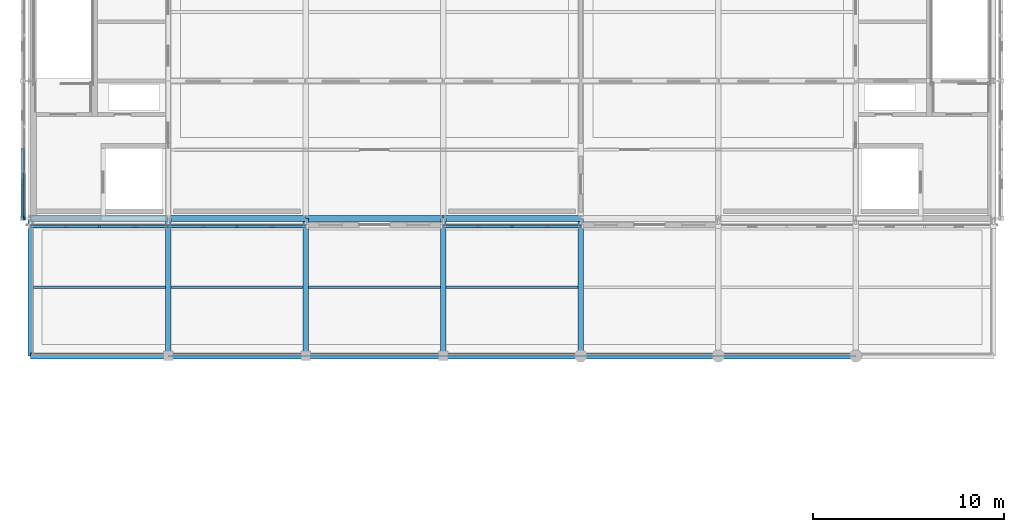
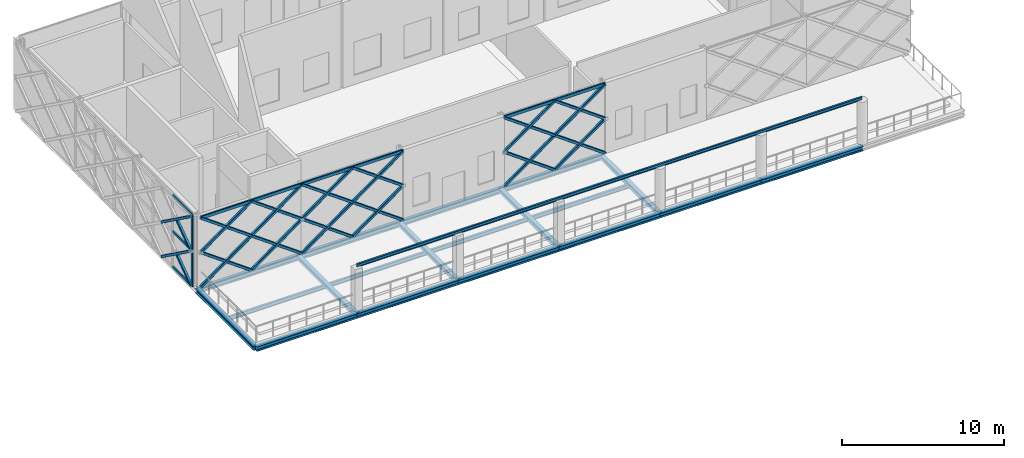
# One storey, part 12 of 31: 47 members, 20 beams, 1 element without a shape of its own.
"""IFC4 building model written with IfcOpenShell, lengths in metres."""

from ifc_helpers import new_model, si_unit, direction, frame, origin, origin_2d, place, context, subcontext, project, spatial, rectangle, hollow_rectangle, i_section, extrude, material, material_profile, profile_set, type_object, element, aggregate, save


model = new_model("IFC4")

# Units and contexts
model_context = context("Model", 3, precision=1e-05, world=origin(), true_north=direction((0.0, 1.0)))
body_context = subcontext(model_context, "Body", "Model", "MODEL_VIEW")
ifc_project = project(units=[si_unit("LENGTHUNIT", "METRE"), si_unit("AREAUNIT", "SQUARE_METRE"), si_unit("VOLUMEUNIT", "CUBIC_METRE"), si_unit("PLANEANGLEUNIT", "RADIAN"), si_unit("MASSUNIT", "GRAM", prefix="KILO")], contexts=[model_context])

# Site, building, storey
site_placement = place(None, origin())
site = spatial("IfcSite", under=ifc_project, at=site_placement, CompositionType="ELEMENT")
building_placement = place(site_placement, origin())
building = spatial("IfcBuilding", under=site, at=building_placement, Name="Zlatovets Crest Museum", CompositionType="ELEMENT")
storey_placement = place(building_placement, frame((0.0, 0.0, 25.199951171875)))
storey = spatial("IfcBuildingStorey", under=building, at=storey_placement, Name="L05", CompositionType="ELEMENT", Elevation=25.199951171875)

# Beams
ifc_material_1 = material(Name="Structural steel S355J2", Category="steel")
ifc_material_profile_1 = material_profile(ifc_material_1, i_section(OverallWidth=0.300048828125, OverallDepth=0.35009765625, WebThickness=0.010009765625, FlangeThickness=0.017578125, FilletRadius=0.027099609375, at=origin_2d()), Name="HEA 360")
ifc_profile_set_1 = profile_set([ifc_material_profile_1], Name="Structural steel S355J2")
beam_type_1 = type_object("IfcBeamType", Name="Beam_B-03", PredefinedType="BEAM", material=ifc_profile_set_1)
for number, where, z_axis, x_axis, name in (
    (1, (57.60009765625, 86.39990234375, -0.4150390625), (1.0, 0.0, 0.0), (0.0, 1.0, 0.0), "V1 L05 Primary Girder B-03"),
    (2, (64.800048828125, 86.39990234375, -0.4150390625), (1.0, 0.0, 0.0), (0.0, 1.0, 0.0), "V1 L05 Primary Girder B-03"),
    (3, (72.0, 86.39990234375, -0.4150390625), (1.0, 0.0, 0.0), (0.0, 1.0, 0.0), "V1 L05 Primary Girder B-03"),
    (4, (79.199951171875, 86.39990234375, -0.4150390625), (1.0, 0.0, 0.0), (0.0, 1.0, 0.0), "V1 L05 Primary Girder B-03"),
):
    element("IfcBeam", number, at=place(storey_placement, frame(where, z_axis=z_axis, x_axis=x_axis)), inside=storey, type_object=beam_type_1, Name=name, PredefinedType="BEAM", context=body_context, shape_type="SweptSolid", body=[
        extrude(i_section(OverallWidth=0.300048828125, OverallDepth=0.35009765625, WebThickness=0.010009765625, FlangeThickness=0.017578125, FilletRadius=0.027099609375, at=origin_2d()), origin(), (0.0, 0.0, 1.0), 7.199951171875),
    ])
beam_1_placement = place(storey_placement, frame((86.39990234375, 86.39990234375, -0.4150390625), z_axis=(1.0, 0.0, 0.0), x_axis=(0.0, 1.0, 0.0)))
element("IfcBeam", 5, at=beam_1_placement, inside=storey, type_object=beam_type_1, Name="V1 L05 Primary Girder B-03", PredefinedType="BEAM", context=body_context, shape_type="SweptSolid", body=[
    extrude(i_section(OverallWidth=0.300048828125, OverallDepth=0.35009765625, WebThickness=0.010009765625, FlangeThickness=0.017578125, FilletRadius=0.027099609375, at=origin_2d()), origin(), (0.0, 0.0, 1.0), 7.2001953125),
])
for number, where, z_axis, x_axis, name in (
    (6, (93.60009765625, 86.39990234375, -0.4150390625), (1.0, 0.0, 0.0), (0.0, 1.0, 0.0), "V1 L05 Primary Girder B-03"),
    (7, (57.60009765625, 93.60009765625, -0.4150390625), (1.0, 0.0, 0.0), (0.0, 1.0, 0.0), "V1 L05 Primary Girder B-03"),
    (8, (64.800048828125, 93.60009765625, -0.4150390625), (1.0, 0.0, 0.0), (0.0, 1.0, 0.0), "V1 L05 Primary Girder B-03"),
    (9, (72.0, 93.60009765625, -0.4150390625), (1.0, 0.0, 0.0), (0.0, 1.0, 0.0), "V1 L05 Primary Girder B-03"),
    (10, (79.199951171875, 93.60009765625, -0.4150390625), (1.0, 0.0, 0.0), (0.0, 1.0, 0.0), "V1 L05 Primary Girder B-03"),
):
    element("IfcBeam", number, at=place(storey_placement, frame(where, z_axis=z_axis, x_axis=x_axis)), inside=storey, type_object=beam_type_1, Name=name, PredefinedType="BEAM", context=body_context, shape_type="SweptSolid", body=[
        extrude(i_section(OverallWidth=0.300048828125, OverallDepth=0.35009765625, WebThickness=0.010009765625, FlangeThickness=0.017578125, FilletRadius=0.027099609375, at=origin_2d()), origin(), (0.0, 0.0, 1.0), 7.199951171875),
    ])
ifc_material_profile_2 = material_profile(ifc_material_1, i_section(OverallWidth=0.300048828125, OverallDepth=0.31005859375, WebThickness=0.009033203125, FlangeThickness=0.015380859375, FilletRadius=0.027099609375, at=origin_2d()), Name="HEA 320")
ifc_profile_set_2 = profile_set([ifc_material_profile_2], Name="Structural steel S355J2")
beam_type_2 = type_object("IfcBeamType", Name="Beam_B-04", PredefinedType="BEAM", material=ifc_profile_set_2)
for number, where, z_axis, x_axis, name in (
    (11, (57.60009765625, 86.39990234375, -0.39501953125), (0.0, 1.0, 0.0), (-1.0, 0.0, 0.0), "V1 L05 Grid Beam B-04"),
    (12, (64.800048828125, 86.39990234375, -0.39501953125), (0.0, 1.0, 0.0), (-1.0, 0.0, 0.0), "V1 L05 Grid Beam B-04"),
    (13, (72.0, 86.39990234375, -0.39501953125), (0.0, 1.0, 0.0), (-1.0, 0.0, 0.0), "V1 L05 Grid Beam B-04"),
    (14, (79.199951171875, 86.39990234375, -0.39501953125), (0.0, 1.0, 0.0), (-1.0, 0.0, 0.0), "V1 L05 Grid Beam B-04"),
    (15, (86.39990234375, 86.39990234375, -0.39501953125), (0.0, 1.0, 0.0), (-1.0, 0.0, 0.0), "V1 L05 Grid Beam B-04"),
):
    element("IfcBeam", number, at=place(storey_placement, frame(where, z_axis=z_axis, x_axis=x_axis)), inside=storey, type_object=beam_type_2, Name=name, PredefinedType="BEAM", context=body_context, shape_type="SweptSolid", body=[
        extrude(i_section(OverallWidth=0.300048828125, OverallDepth=0.31005859375, WebThickness=0.009033203125, FlangeThickness=0.015380859375, FilletRadius=0.027099609375, at=origin_2d()), origin(), (0.0, 0.0, 1.0), 7.2001953125),
    ])
ifc_material_profile_3 = material_profile(ifc_material_1, i_section(OverallWidth=0.14990234375, OverallDepth=0.300048828125, WebThickness=0.007080078125, FlangeThickness=0.0107421875, FilletRadius=0.014892578125, at=origin_2d()), Name="IPE 300")
ifc_profile_set_3 = profile_set([ifc_material_profile_3], Name="Structural steel S355J2")
beam_type_3 = type_object("IfcBeamType", Name="Beam_J-02", PredefinedType="JOIST", material=ifc_profile_set_3)
beam_2_placement = place(storey_placement, frame((57.75, 90.0, -0.389892578125), z_axis=(1.0, 0.0, 0.0), x_axis=(0.0, 1.0, 0.0)))
element("IfcBeam", 16, at=beam_2_placement, inside=storey, type_object=beam_type_3, Name="V1 L05 Composite Joist J-02", PredefinedType="JOIST", context=body_context, shape_type="SweptSolid", body=[
    extrude(i_section(OverallWidth=0.14990234375, OverallDepth=0.300048828125, WebThickness=0.007080078125, FlangeThickness=0.0107421875, FilletRadius=0.014892578125, at=origin_2d()), origin(), (0.0, 0.0, 1.0), 6.89990234375),
])
for number, where, z_axis, x_axis, name in (
    (17, (64.949951171875, 90.0, -0.389892578125), (1.0, 0.0, 0.0), (0.0, 1.0, 0.0), "V1 L05 Composite Joist J-02"),
    (18, (72.14990234375, 90.0, -0.389892578125), (1.0, 0.0, 0.0), (0.0, 1.0, 0.0), "V1 L05 Composite Joist J-02"),
):
    element("IfcBeam", number, at=place(storey_placement, frame(where, z_axis=z_axis, x_axis=x_axis)), inside=storey, type_object=beam_type_3, Name=name, PredefinedType="JOIST", context=body_context, shape_type="SweptSolid", body=[
        extrude(i_section(OverallWidth=0.14990234375, OverallDepth=0.300048828125, WebThickness=0.007080078125, FlangeThickness=0.0107421875, FilletRadius=0.014892578125, at=origin_2d()), origin(), (0.0, 0.0, 1.0), 6.900146484375),
    ])
beam_3_placement = place(storey_placement, frame((79.35009765625, 90.0, -0.389892578125), z_axis=(1.0, 0.0, 0.0), x_axis=(0.0, 1.0, 0.0)))
element("IfcBeam", 19, at=beam_3_placement, inside=storey, type_object=beam_type_3, Name="V1 L05 Composite Joist J-02", PredefinedType="JOIST", context=body_context, shape_type="SweptSolid", body=[
    extrude(i_section(OverallWidth=0.14990234375, OverallDepth=0.300048828125, WebThickness=0.007080078125, FlangeThickness=0.0107421875, FilletRadius=0.014892578125, at=origin_2d()), origin(), (0.0, 0.0, 1.0), 6.89990234375),
])
ifc_material_profile_4 = material_profile(ifc_material_1, i_section(OverallWidth=0.1201171875, OverallDepth=0.239990234375, WebThickness=0.006103515625, FlangeThickness=0.009765625, FilletRadius=0.014892578125, at=origin_2d()), Name="IPE 240")
ifc_profile_set_4 = profile_set([ifc_material_profile_4], Name="Structural steel S355J2")
beam_type_4 = type_object("IfcBeamType", Name="Beam_PR-01", PredefinedType="BEAM", material=ifc_profile_set_4)
beam_4_placement = place(storey_placement, frame((64.800048828125, 86.39990234375, 3.300048828125), z_axis=(1.0, 0.0, 0.0), x_axis=(0.0, 1.0, 0.0)))
element("IfcBeam", 20, at=beam_4_placement, inside=storey, type_object=beam_type_4, Name="L05 Belvedere Colonnade Pergola Tie Beam", PredefinedType="BEAM", context=body_context, shape_type="SweptSolid", body=[
    extrude(i_section(OverallWidth=0.1201171875, OverallDepth=0.239990234375, WebThickness=0.006103515625, FlangeThickness=0.009765625, FilletRadius=0.014892578125, at=origin_2d()), origin(), (0.0, 0.0, 1.0), 36.0),
])

# Curtain wall, members
ifc_material_2 = material(Name="Bronze-anodised aluminium and low-E triple glass", Category="aluminium")
curtain_wall_type = type_object("IfcCurtainWallType", Name="CW_CW-V1-L05-M3", PredefinedType="NOTDEFINED", material=ifc_material_2)
curtain_wall_placement = place(storey_placement, origin())
curtain_wall = element("IfcCurtainWall", 21, at=curtain_wall_placement, inside=storey, type_object=curtain_wall_type, Name="V1 L05 Expressed Core Glazed Facade", PredefinedType="NOTDEFINED")
ifc_material_3 = material(Name="Bronze-anodised aluminium EN AW-6060", Category="aluminium")
ifc_material_profile_5 = material_profile(ifc_material_3, rectangle(XDim=0.090087890625, YDim=0.199951171875, at=origin_2d()), Name="ALU 90x200")
ifc_profile_set_5 = profile_set([ifc_material_profile_5], Name="Bronze-anodised aluminium EN AW-6060")
member_type_1 = type_object("IfcMemberType", Name="CWMull_M2", PredefinedType="MULLION", material=ifc_profile_set_5)
member_1_placement = place(storey_placement, frame((57.260009765625, 93.6298828125, 0.0), z_axis=(0.0, 0.0, 1.0), x_axis=(1.0, 0.0, 0.0)))
member_1 = element("IfcMember", 22, at=member_1_placement, type_object=member_type_1, Name="CW-V1-L05-M3 mullion 4", PredefinedType="MULLION", context=body_context, shape_type="SweptSolid", body=[
    extrude(rectangle(XDim=0.090087890625, YDim=0.199951171875, at=origin_2d()), origin(), (0.0, 0.0, 1.0), 5.400146484375),
])
ifc_material_profile_6 = material_profile(ifc_material_3, rectangle(XDim=0.090087890625, YDim=0.199951171875, at=origin_2d()), Name="ALU 90x200")
ifc_profile_set_6 = profile_set([ifc_material_profile_6], Name="Bronze-anodised aluminium EN AW-6060")
member_type_2 = type_object("IfcMemberType", Name="CWTrans_T2", PredefinedType="USERDEFINED", material=ifc_profile_set_6)
member_2_placement = place(storey_placement, frame((57.260009765625, 95.969970703125, 0.030029296875), z_axis=(0.0, -1.0, 0.0), x_axis=(1.0, 0.0, 0.0)))
member_2 = element("IfcMember", 23, at=member_2_placement, type_object=member_type_2, Name="CW-V1-L05-M3 transom 3.1", ObjectType="TRANSOM", PredefinedType="USERDEFINED", context=body_context, shape_type="SweptSolid", body=[
    extrude(rectangle(XDim=0.090087890625, YDim=0.199951171875, at=origin_2d()), origin(), (0.0, 0.0, 1.0), 2.31005859375),
])
member_3_placement = place(storey_placement, frame((57.260009765625, 95.969970703125, 2.699951171875), z_axis=(0.0, -1.0, 0.0), x_axis=(1.0, 0.0, 0.0)))
member_3 = element("IfcMember", 24, at=member_3_placement, type_object=member_type_2, Name="CW-V1-L05-M3 transom 3.2", ObjectType="TRANSOM", PredefinedType="USERDEFINED", context=body_context, shape_type="SweptSolid", body=[
    extrude(rectangle(XDim=0.090087890625, YDim=0.199951171875, at=origin_2d()), origin(), (0.0, 0.0, 1.0), 2.31005859375),
])
member_4_placement = place(storey_placement, frame((57.260009765625, 95.969970703125, 5.3701171875), z_axis=(0.0, -1.0, 0.0), x_axis=(1.0, 0.0, 0.0)))
member_4 = element("IfcMember", 25, at=member_4_placement, type_object=member_type_2, Name="CW-V1-L05-M3 transom 3.3", ObjectType="TRANSOM", PredefinedType="USERDEFINED", context=body_context, shape_type="SweptSolid", body=[
    extrude(rectangle(XDim=0.090087890625, YDim=0.199951171875, at=origin_2d()), origin(), (0.0, 0.0, 1.0), 2.31005859375),
])
aggregate(curtain_wall, [member_1, member_2, member_3, member_4])

# Members
ifc_material_4 = material(Name="Weathering bronze-steel S355J2W", Category="steel")
ifc_material_profile_7 = material_profile(ifc_material_4, hollow_rectangle(XDim=0.179931640625, YDim=0.179931640625, WallThickness=0.010009765625, InnerFilletRadius=0.010009765625, OuterFilletRadius=0.02001953125, at=origin_2d()), Name="SHS 180x180x10.0")
ifc_profile_set_7 = profile_set([ifc_material_profile_7], Name="Weathering bronze-steel S355J2W")
member_type_3 = type_object("IfcMemberType", Name="Lattice_XL-01", PredefinedType="BRACE", material=ifc_profile_set_7)
member_5_placement = place(storey_placement, frame((57.60009765625, 93.179931640625, 0.10009765625), z_axis=(0.810683577727, 0.0, 0.585484531652), x_axis=(0.0, 1.0, 0.0)))
element("IfcMember", 26, at=member_5_placement, inside=storey, type_object=member_type_3, Name="Continuous Bronze Lattice Diagonal", PredefinedType="BRACE", context=body_context, shape_type="SweptSolid", body=[
    extrude(hollow_rectangle(XDim=0.179931640625, YDim=0.179931640625, WallThickness=0.010009765625, InnerFilletRadius=0.010009765625, OuterFilletRadius=0.02001953125, at=origin_2d()), origin(), (0.0, 0.0, 1.0), 4.4404296875),
])
for number, where, z_axis, x_axis, name in (
    (27, (57.60009765625, 93.179931640625, 2.699951171875), (0.810664082502, 0.0, -0.585511524516), (0.0, 1.0, 0.0), "Split Crossing Bronze Lattice Diagonal Upper"),
    (28, (59.47705078125, 93.179931640625, 1.344482421875), (0.810664082502, 0.0, -0.585511524516), (0.0, 1.0, 0.0), "Split Crossing Bronze Lattice Diagonal Lower"),
):
    element("IfcMember", number, at=place(storey_placement, frame(where, z_axis=z_axis, x_axis=x_axis)), inside=storey, type_object=member_type_3, Name=name, PredefinedType="BRACE", context=body_context, shape_type="SweptSolid", body=[
        extrude(hollow_rectangle(XDim=0.179931640625, YDim=0.179931640625, WallThickness=0.010009765625, InnerFilletRadius=0.010009765625, OuterFilletRadius=0.02001953125, at=origin_2d()), origin(), (0.0, 0.0, 1.0), 2.125244140625),
    ])
member_6_placement = place(storey_placement, frame((61.199951171875, 93.179931640625, 0.10009765625), z_axis=(0.810702423259, 0.0, 0.585458436545), x_axis=(0.0, 1.0, 0.0)))
element("IfcMember", 29, at=member_6_placement, inside=storey, type_object=member_type_3, Name="Continuous Bronze Lattice Diagonal", PredefinedType="BRACE", context=body_context, shape_type="SweptSolid", body=[
    extrude(hollow_rectangle(XDim=0.179931640625, YDim=0.179931640625, WallThickness=0.010009765625, InnerFilletRadius=0.010009765625, OuterFilletRadius=0.02001953125, at=origin_2d()), origin(), (0.0, 0.0, 1.0), 4.440673828125),
])
for number, where, z_axis, x_axis, name in (
    (30, (61.199951171875, 93.179931640625, 2.699951171875), (0.810703458452, 0.0, -0.585457003079), (0.0, 1.0, 0.0), "Split Crossing Bronze Lattice Diagonal Upper"),
    (31, (63.076904296875, 93.179931640625, 1.344482421875), (0.810703458452, 0.0, -0.585457003079), (0.0, 1.0, 0.0), "Split Crossing Bronze Lattice Diagonal Lower"),
):
    element("IfcMember", number, at=place(storey_placement, frame(where, z_axis=z_axis, x_axis=x_axis)), inside=storey, type_object=member_type_3, Name=name, PredefinedType="BRACE", context=body_context, shape_type="SweptSolid", body=[
        extrude(hollow_rectangle(XDim=0.179931640625, YDim=0.179931640625, WallThickness=0.010009765625, InnerFilletRadius=0.010009765625, OuterFilletRadius=0.02001953125, at=origin_2d()), origin(), (0.0, 0.0, 1.0), 2.12548828125),
    ])
member_7_placement = place(storey_placement, frame((57.60009765625, 93.179931640625, 2.699951171875), z_axis=(0.810657481794, 0.0, 0.585520663351), x_axis=(0.0, 1.0, 0.0)))
element("IfcMember", 32, at=member_7_placement, inside=storey, type_object=member_type_3, Name="Continuous Bronze Lattice Diagonal", PredefinedType="BRACE", context=body_context, shape_type="SweptSolid", body=[
    extrude(hollow_rectangle(XDim=0.179931640625, YDim=0.179931640625, WallThickness=0.010009765625, InnerFilletRadius=0.010009765625, OuterFilletRadius=0.02001953125, at=origin_2d()), origin(), (0.0, 0.0, 1.0), 4.440673828125),
])
for number, where, z_axis, x_axis, name in (
    (33, (57.60009765625, 93.179931640625, 5.300048828125), (0.810664082502, 0.0, -0.585511524516), (0.0, 1.0, 0.0), "Split Crossing Bronze Lattice Diagonal Upper"),
    (34, (59.47705078125, 93.179931640625, 3.9443359375), (0.810664082502, 0.0, -0.585511524516), (0.0, 1.0, 0.0), "Split Crossing Bronze Lattice Diagonal Lower"),
):
    element("IfcMember", number, at=place(storey_placement, frame(where, z_axis=z_axis, x_axis=x_axis)), inside=storey, type_object=member_type_3, Name=name, PredefinedType="BRACE", context=body_context, shape_type="SweptSolid", body=[
        extrude(hollow_rectangle(XDim=0.179931640625, YDim=0.179931640625, WallThickness=0.010009765625, InnerFilletRadius=0.010009765625, OuterFilletRadius=0.02001953125, at=origin_2d()), origin(), (0.0, 0.0, 1.0), 2.125244140625),
    ])
member_8_placement = place(storey_placement, frame((61.199951171875, 93.179931640625, 2.699951171875), z_axis=(0.810676329046, 0.0, 0.585494568313), x_axis=(0.0, 1.0, 0.0)))
element("IfcMember", 35, at=member_8_placement, inside=storey, type_object=member_type_3, Name="Continuous Bronze Lattice Diagonal", PredefinedType="BRACE", context=body_context, shape_type="SweptSolid", body=[
    extrude(hollow_rectangle(XDim=0.179931640625, YDim=0.179931640625, WallThickness=0.010009765625, InnerFilletRadius=0.010009765625, OuterFilletRadius=0.02001953125, at=origin_2d()), origin(), (0.0, 0.0, 1.0), 4.44091796875),
])
for number, where, z_axis, x_axis, name in (
    (36, (61.199951171875, 93.179931640625, 5.300048828125), (0.810703458452, 0.0, -0.585457003079), (0.0, 1.0, 0.0), "Split Crossing Bronze Lattice Diagonal Upper"),
    (37, (63.076904296875, 93.179931640625, 3.9443359375), (0.810703458452, 0.0, -0.585457003079), (0.0, 1.0, 0.0), "Split Crossing Bronze Lattice Diagonal Lower"),
):
    element("IfcMember", number, at=place(storey_placement, frame(where, z_axis=z_axis, x_axis=x_axis)), inside=storey, type_object=member_type_3, Name=name, PredefinedType="BRACE", context=body_context, shape_type="SweptSolid", body=[
        extrude(hollow_rectangle(XDim=0.179931640625, YDim=0.179931640625, WallThickness=0.010009765625, InnerFilletRadius=0.010009765625, OuterFilletRadius=0.02001953125, at=origin_2d()), origin(), (0.0, 0.0, 1.0), 2.12548828125),
    ])
member_9_placement = place(storey_placement, frame((64.800048828125, 93.179931640625, 0.10009765625), z_axis=(0.810683577727, 0.0, 0.585484531652), x_axis=(0.0, 1.0, 0.0)))
element("IfcMember", 38, at=member_9_placement, inside=storey, type_object=member_type_3, Name="Continuous Bronze Lattice Diagonal", PredefinedType="BRACE", context=body_context, shape_type="SweptSolid", body=[
    extrude(hollow_rectangle(XDim=0.179931640625, YDim=0.179931640625, WallThickness=0.010009765625, InnerFilletRadius=0.010009765625, OuterFilletRadius=0.02001953125, at=origin_2d()), origin(), (0.0, 0.0, 1.0), 4.4404296875),
])
for number, where, z_axis, x_axis, name in (
    (39, (64.800048828125, 93.179931640625, 2.699951171875), (0.810664082502, 0.0, -0.585511524516), (0.0, 1.0, 0.0), "Split Crossing Bronze Lattice Diagonal Upper"),
    (40, (66.677001953125, 93.179931640625, 1.344482421875), (0.810664082502, 0.0, -0.585511524516), (0.0, 1.0, 0.0), "Split Crossing Bronze Lattice Diagonal Lower"),
):
    element("IfcMember", number, at=place(storey_placement, frame(where, z_axis=z_axis, x_axis=x_axis)), inside=storey, type_object=member_type_3, Name=name, PredefinedType="BRACE", context=body_context, shape_type="SweptSolid", body=[
        extrude(hollow_rectangle(XDim=0.179931640625, YDim=0.179931640625, WallThickness=0.010009765625, InnerFilletRadius=0.010009765625, OuterFilletRadius=0.02001953125, at=origin_2d()), origin(), (0.0, 0.0, 1.0), 2.125244140625),
    ])
member_10_placement = place(storey_placement, frame((68.39990234375, 93.179931640625, 0.10009765625), z_axis=(0.810702423259, 0.0, 0.585458436545), x_axis=(0.0, 1.0, 0.0)))
element("IfcMember", 41, at=member_10_placement, inside=storey, type_object=member_type_3, Name="Continuous Bronze Lattice Diagonal", PredefinedType="BRACE", context=body_context, shape_type="SweptSolid", body=[
    extrude(hollow_rectangle(XDim=0.179931640625, YDim=0.179931640625, WallThickness=0.010009765625, InnerFilletRadius=0.010009765625, OuterFilletRadius=0.02001953125, at=origin_2d()), origin(), (0.0, 0.0, 1.0), 4.440673828125),
])
member_11_placement = place(storey_placement, frame((68.39990234375, 93.179931640625, 2.699951171875), z_axis=(0.810703458452, 0.0, -0.585457003079), x_axis=(0.0, 1.0, 0.0)))
element("IfcMember", 42, at=member_11_placement, inside=storey, type_object=member_type_3, Name="Split Crossing Bronze Lattice Diagonal Upper", PredefinedType="BRACE", context=body_context, shape_type="SweptSolid", body=[
    extrude(hollow_rectangle(XDim=0.179931640625, YDim=0.179931640625, WallThickness=0.010009765625, InnerFilletRadius=0.010009765625, OuterFilletRadius=0.02001953125, at=origin_2d()), origin(), (0.0, 0.0, 1.0), 2.12548828125),
])
member_12_placement = place(storey_placement, frame((70.277099609375, 93.179931640625, 1.344482421875), z_axis=(0.810664082502, 0.0, -0.585511524516), x_axis=(0.0, 1.0, 0.0)))
element("IfcMember", 43, at=member_12_placement, inside=storey, type_object=member_type_3, Name="Split Crossing Bronze Lattice Diagonal Lower", PredefinedType="BRACE", context=body_context, shape_type="SweptSolid", body=[
    extrude(hollow_rectangle(XDim=0.179931640625, YDim=0.179931640625, WallThickness=0.010009765625, InnerFilletRadius=0.010009765625, OuterFilletRadius=0.02001953125, at=origin_2d()), origin(), (0.0, 0.0, 1.0), 2.125244140625),
])
member_13_placement = place(storey_placement, frame((64.800048828125, 93.179931640625, 2.699951171875), z_axis=(0.810657481794, 0.0, 0.585520663351), x_axis=(0.0, 1.0, 0.0)))
element("IfcMember", 44, at=member_13_placement, inside=storey, type_object=member_type_3, Name="Continuous Bronze Lattice Diagonal", PredefinedType="BRACE", context=body_context, shape_type="SweptSolid", body=[
    extrude(hollow_rectangle(XDim=0.179931640625, YDim=0.179931640625, WallThickness=0.010009765625, InnerFilletRadius=0.010009765625, OuterFilletRadius=0.02001953125, at=origin_2d()), origin(), (0.0, 0.0, 1.0), 4.440673828125),
])
for number, where, z_axis, x_axis, name in (
    (45, (64.800048828125, 93.179931640625, 5.300048828125), (0.810664082502, 0.0, -0.585511524516), (0.0, 1.0, 0.0), "Split Crossing Bronze Lattice Diagonal Upper"),
    (46, (66.677001953125, 93.179931640625, 3.9443359375), (0.810664082502, 0.0, -0.585511524516), (0.0, 1.0, 0.0), "Split Crossing Bronze Lattice Diagonal Lower"),
):
    element("IfcMember", number, at=place(storey_placement, frame(where, z_axis=z_axis, x_axis=x_axis)), inside=storey, type_object=member_type_3, Name=name, PredefinedType="BRACE", context=body_context, shape_type="SweptSolid", body=[
        extrude(hollow_rectangle(XDim=0.179931640625, YDim=0.179931640625, WallThickness=0.010009765625, InnerFilletRadius=0.010009765625, OuterFilletRadius=0.02001953125, at=origin_2d()), origin(), (0.0, 0.0, 1.0), 2.125244140625),
    ])
member_14_placement = place(storey_placement, frame((68.39990234375, 93.179931640625, 2.699951171875), z_axis=(0.810676329046, 0.0, 0.585494568313), x_axis=(0.0, 1.0, 0.0)))
element("IfcMember", 47, at=member_14_placement, inside=storey, type_object=member_type_3, Name="Continuous Bronze Lattice Diagonal", PredefinedType="BRACE", context=body_context, shape_type="SweptSolid", body=[
    extrude(hollow_rectangle(XDim=0.179931640625, YDim=0.179931640625, WallThickness=0.010009765625, InnerFilletRadius=0.010009765625, OuterFilletRadius=0.02001953125, at=origin_2d()), origin(), (0.0, 0.0, 1.0), 4.44091796875),
])
member_15_placement = place(storey_placement, frame((68.39990234375, 93.179931640625, 5.300048828125), z_axis=(0.810703458452, 0.0, -0.585457003079), x_axis=(0.0, 1.0, 0.0)))
element("IfcMember", 48, at=member_15_placement, inside=storey, type_object=member_type_3, Name="Split Crossing Bronze Lattice Diagonal Upper", PredefinedType="BRACE", context=body_context, shape_type="SweptSolid", body=[
    extrude(hollow_rectangle(XDim=0.179931640625, YDim=0.179931640625, WallThickness=0.010009765625, InnerFilletRadius=0.010009765625, OuterFilletRadius=0.02001953125, at=origin_2d()), origin(), (0.0, 0.0, 1.0), 2.12548828125),
])
member_16_placement = place(storey_placement, frame((70.277099609375, 93.179931640625, 3.9443359375), z_axis=(0.810664082502, 0.0, -0.585511524516), x_axis=(0.0, 1.0, 0.0)))
element("IfcMember", 49, at=member_16_placement, inside=storey, type_object=member_type_3, Name="Split Crossing Bronze Lattice Diagonal Lower", PredefinedType="BRACE", context=body_context, shape_type="SweptSolid", body=[
    extrude(hollow_rectangle(XDim=0.179931640625, YDim=0.179931640625, WallThickness=0.010009765625, InnerFilletRadius=0.010009765625, OuterFilletRadius=0.02001953125, at=origin_2d()), origin(), (0.0, 0.0, 1.0), 2.125244140625),
])
member_17_placement = place(storey_placement, frame((79.199951171875, 93.179931640625, 0.10009765625), z_axis=(0.810702423259, 0.0, 0.585458436545), x_axis=(0.0, 1.0, 0.0)))
element("IfcMember", 50, at=member_17_placement, inside=storey, type_object=member_type_3, Name="Continuous Bronze Lattice Diagonal", PredefinedType="BRACE", context=body_context, shape_type="SweptSolid", body=[
    extrude(hollow_rectangle(XDim=0.179931640625, YDim=0.179931640625, WallThickness=0.010009765625, InnerFilletRadius=0.010009765625, OuterFilletRadius=0.02001953125, at=origin_2d()), origin(), (0.0, 0.0, 1.0), 4.440673828125),
])
for number, where, z_axis, x_axis, name in (
    (51, (79.199951171875, 93.179931640625, 2.699951171875), (0.810703458452, 0.0, -0.585457003079), (0.0, 1.0, 0.0), "Split Crossing Bronze Lattice Diagonal Upper"),
    (52, (81.076904296875, 93.179931640625, 1.344482421875), (0.810703458452, 0.0, -0.585457003079), (0.0, 1.0, 0.0), "Split Crossing Bronze Lattice Diagonal Lower"),
):
    element("IfcMember", number, at=place(storey_placement, frame(where, z_axis=z_axis, x_axis=x_axis)), inside=storey, type_object=member_type_3, Name=name, PredefinedType="BRACE", context=body_context, shape_type="SweptSolid", body=[
        extrude(hollow_rectangle(XDim=0.179931640625, YDim=0.179931640625, WallThickness=0.010009765625, InnerFilletRadius=0.010009765625, OuterFilletRadius=0.02001953125, at=origin_2d()), origin(), (0.0, 0.0, 1.0), 2.12548828125),
    ])
member_18_placement = place(storey_placement, frame((82.800048828125, 93.179931640625, 0.10009765625), z_axis=(0.810683577727, 0.0, 0.585484531652), x_axis=(0.0, 1.0, 0.0)))
element("IfcMember", 53, at=member_18_placement, inside=storey, type_object=member_type_3, Name="Continuous Bronze Lattice Diagonal", PredefinedType="BRACE", context=body_context, shape_type="SweptSolid", body=[
    extrude(hollow_rectangle(XDim=0.179931640625, YDim=0.179931640625, WallThickness=0.010009765625, InnerFilletRadius=0.010009765625, OuterFilletRadius=0.02001953125, at=origin_2d()), origin(), (0.0, 0.0, 1.0), 4.4404296875),
])
for number, where, z_axis, x_axis, name in (
    (54, (82.800048828125, 93.179931640625, 2.699951171875), (0.810664082502, 0.0, -0.585511524516), (0.0, 1.0, 0.0), "Split Crossing Bronze Lattice Diagonal Upper"),
    (55, (84.677001953125, 93.179931640625, 1.344482421875), (0.810664082502, 0.0, -0.585511524516), (0.0, 1.0, 0.0), "Split Crossing Bronze Lattice Diagonal Lower"),
):
    element("IfcMember", number, at=place(storey_placement, frame(where, z_axis=z_axis, x_axis=x_axis)), inside=storey, type_object=member_type_3, Name=name, PredefinedType="BRACE", context=body_context, shape_type="SweptSolid", body=[
        extrude(hollow_rectangle(XDim=0.179931640625, YDim=0.179931640625, WallThickness=0.010009765625, InnerFilletRadius=0.010009765625, OuterFilletRadius=0.02001953125, at=origin_2d()), origin(), (0.0, 0.0, 1.0), 2.125244140625),
    ])
member_19_placement = place(storey_placement, frame((79.199951171875, 93.179931640625, 2.699951171875), z_axis=(0.810676329046, 0.0, 0.585494568313), x_axis=(0.0, 1.0, 0.0)))
element("IfcMember", 56, at=member_19_placement, inside=storey, type_object=member_type_3, Name="Continuous Bronze Lattice Diagonal", PredefinedType="BRACE", context=body_context, shape_type="SweptSolid", body=[
    extrude(hollow_rectangle(XDim=0.179931640625, YDim=0.179931640625, WallThickness=0.010009765625, InnerFilletRadius=0.010009765625, OuterFilletRadius=0.02001953125, at=origin_2d()), origin(), (0.0, 0.0, 1.0), 4.44091796875),
])
for number, where, z_axis, x_axis, name in (
    (57, (79.199951171875, 93.179931640625, 5.300048828125), (0.810703458452, 0.0, -0.585457003079), (0.0, 1.0, 0.0), "Split Crossing Bronze Lattice Diagonal Upper"),
    (58, (81.076904296875, 93.179931640625, 3.9443359375), (0.810703458452, 0.0, -0.585457003079), (0.0, 1.0, 0.0), "Split Crossing Bronze Lattice Diagonal Lower"),
):
    element("IfcMember", number, at=place(storey_placement, frame(where, z_axis=z_axis, x_axis=x_axis)), inside=storey, type_object=member_type_3, Name=name, PredefinedType="BRACE", context=body_context, shape_type="SweptSolid", body=[
        extrude(hollow_rectangle(XDim=0.179931640625, YDim=0.179931640625, WallThickness=0.010009765625, InnerFilletRadius=0.010009765625, OuterFilletRadius=0.02001953125, at=origin_2d()), origin(), (0.0, 0.0, 1.0), 2.12548828125),
    ])
member_20_placement = place(storey_placement, frame((82.800048828125, 93.179931640625, 2.699951171875), z_axis=(0.810657481794, 0.0, 0.585520663351), x_axis=(0.0, 1.0, 0.0)))
element("IfcMember", 59, at=member_20_placement, inside=storey, type_object=member_type_3, Name="Continuous Bronze Lattice Diagonal", PredefinedType="BRACE", context=body_context, shape_type="SweptSolid", body=[
    extrude(hollow_rectangle(XDim=0.179931640625, YDim=0.179931640625, WallThickness=0.010009765625, InnerFilletRadius=0.010009765625, OuterFilletRadius=0.02001953125, at=origin_2d()), origin(), (0.0, 0.0, 1.0), 4.440673828125),
])
for number, where, z_axis, x_axis, name in (
    (60, (82.800048828125, 93.179931640625, 5.300048828125), (0.810664082502, 0.0, -0.585511524516), (0.0, 1.0, 0.0), "Split Crossing Bronze Lattice Diagonal Upper"),
    (61, (84.677001953125, 93.179931640625, 3.9443359375), (0.810664082502, 0.0, -0.585511524516), (0.0, 1.0, 0.0), "Split Crossing Bronze Lattice Diagonal Lower"),
):
    element("IfcMember", number, at=place(storey_placement, frame(where, z_axis=z_axis, x_axis=x_axis)), inside=storey, type_object=member_type_3, Name=name, PredefinedType="BRACE", context=body_context, shape_type="SweptSolid", body=[
        extrude(hollow_rectangle(XDim=0.179931640625, YDim=0.179931640625, WallThickness=0.010009765625, InnerFilletRadius=0.010009765625, OuterFilletRadius=0.02001953125, at=origin_2d()), origin(), (0.0, 0.0, 1.0), 2.125244140625),
    ])
member_21_placement = place(storey_placement, frame((57.179931640625, 97.199951171875, 0.10009765625), z_axis=(0.0, -0.810683577727, 0.585484531652), x_axis=(1.0, 0.0, 0.0)))
element("IfcMember", 62, at=member_21_placement, inside=storey, type_object=member_type_3, Name="Continuous Bronze Lattice Diagonal", PredefinedType="BRACE", context=body_context, shape_type="SweptSolid", body=[
    extrude(hollow_rectangle(XDim=0.179931640625, YDim=0.179931640625, WallThickness=0.010009765625, InnerFilletRadius=0.010009765625, OuterFilletRadius=0.02001953125, at=origin_2d()), origin(), (0.0, 0.0, 1.0), 4.4404296875),
])
member_22_placement = place(storey_placement, frame((57.179931640625, 95.322998046875, 1.344482421875), z_axis=(0.0, -0.810664082502, -0.585511524516), x_axis=(1.0, 0.0, 0.0)))
element("IfcMember", 63, at=member_22_placement, inside=storey, type_object=member_type_3, Name="Split Crossing Bronze Lattice Diagonal Lower", PredefinedType="BRACE", context=body_context, shape_type="SweptSolid", body=[
    extrude(hollow_rectangle(XDim=0.179931640625, YDim=0.179931640625, WallThickness=0.010009765625, InnerFilletRadius=0.010009765625, OuterFilletRadius=0.02001953125, at=origin_2d()), origin(), (0.0, 0.0, 1.0), 2.125244140625),
])
member_23_placement = place(storey_placement, frame((57.179931640625, 97.199951171875, 2.699951171875), z_axis=(0.0, -0.810657481794, 0.585520663351), x_axis=(1.0, 0.0, 0.0)))
element("IfcMember", 64, at=member_23_placement, inside=storey, type_object=member_type_3, Name="Continuous Bronze Lattice Diagonal", PredefinedType="BRACE", context=body_context, shape_type="SweptSolid", body=[
    extrude(hollow_rectangle(XDim=0.179931640625, YDim=0.179931640625, WallThickness=0.010009765625, InnerFilletRadius=0.010009765625, OuterFilletRadius=0.02001953125, at=origin_2d()), origin(), (0.0, 0.0, 1.0), 4.440673828125),
])
member_24_placement = place(storey_placement, frame((57.179931640625, 95.322998046875, 3.9443359375), z_axis=(0.0, -0.810664082502, -0.585511524516), x_axis=(1.0, 0.0, 0.0)))
element("IfcMember", 65, at=member_24_placement, inside=storey, type_object=member_type_3, Name="Split Crossing Bronze Lattice Diagonal Lower", PredefinedType="BRACE", context=body_context, shape_type="SweptSolid", body=[
    extrude(hollow_rectangle(XDim=0.179931640625, YDim=0.179931640625, WallThickness=0.010009765625, InnerFilletRadius=0.010009765625, OuterFilletRadius=0.02001953125, at=origin_2d()), origin(), (0.0, 0.0, 1.0), 2.125244140625),
])
ifc_material_profile_8 = material_profile(ifc_material_4, hollow_rectangle(XDim=0.1201171875, YDim=0.239990234375, WallThickness=0.010009765625, InnerFilletRadius=0.010009765625, OuterFilletRadius=0.02001953125, at=origin_2d()), Name="RHS 120x240x10.0")
ifc_profile_set_8 = profile_set([ifc_material_profile_8], Name="Weathering bronze-steel S355J2W")
member_type_4 = type_object("IfcMemberType", Name="Lattice_XL-04", PredefinedType="CHORD", material=ifc_profile_set_8)
for number, where, z_axis, x_axis, name in (
    (66, (57.60009765625, 93.179931640625, 5.300048828125), (1.0, 0.0, 0.0), (0.0, 1.0, 0.0), "Art Nouveau Woven Cage Collector Ring Chord"),
    (67, (64.800048828125, 93.179931640625, 5.300048828125), (1.0, 0.0, 0.0), (0.0, 1.0, 0.0), "Art Nouveau Woven Cage Collector Ring Chord"),
    (68, (79.199951171875, 93.179931640625, 5.300048828125), (1.0, 0.0, 0.0), (0.0, 1.0, 0.0), "Art Nouveau Woven Cage Collector Ring Chord"),
):
    element("IfcMember", number, at=place(storey_placement, frame(where, z_axis=z_axis, x_axis=x_axis)), inside=storey, type_object=member_type_4, Name=name, PredefinedType="CHORD", context=body_context, shape_type="SweptSolid", body=[
        extrude(hollow_rectangle(XDim=0.1201171875, YDim=0.239990234375, WallThickness=0.010009765625, InnerFilletRadius=0.010009765625, OuterFilletRadius=0.02001953125, at=origin_2d()), origin(), (0.0, 0.0, 1.0), 7.199951171875),
    ])

save(model, "model.ifc")
